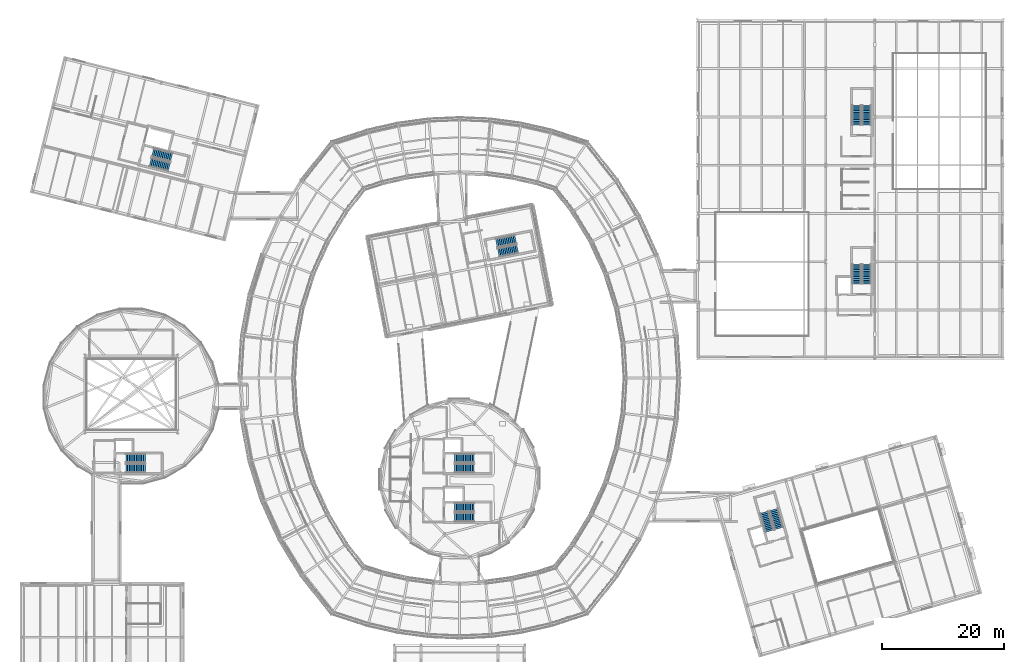
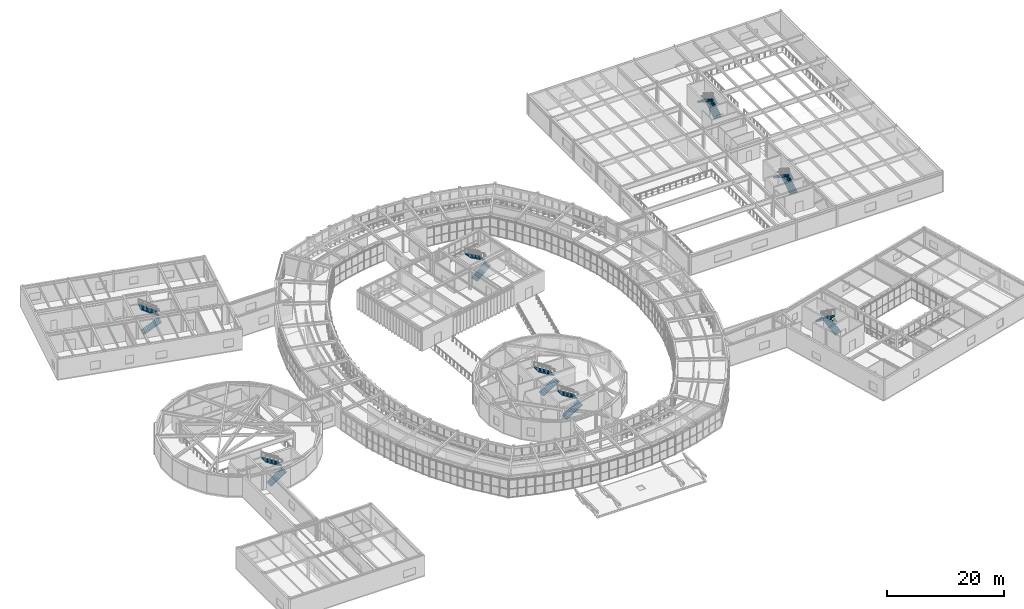
# One storey, part 84 of 103: 16 stair flights, 8 elements without a shape of their own.
"""IFC4 building model written with IfcOpenShell, lengths in metres."""

import ifcopenshell
import ifcopenshell.guid

model = None  # the IFC model being written
_history = None  # IfcOwnerHistory: only IFC2X3 demands one
_inside = {}  # id of a spatial element -> (the spatial element, [elements in it])
_under = {}  # id of a project, library or spatial element -> (it, [spatial elements below it])
_declared = {}  # id of a project -> (the project, [libraries it declares])
_typed = {}  # id of a type object -> (the type object, [elements of that type])
_made_of = {}  # id of a material, layer set ... -> (it, [elements and type objects made of it])


def new_model(schema):
    """Start an empty IFC model of exactly this schema.

    Asked for "IFC4X3", IfcOpenShell would pick the latest addendum, in which some entities
    have other attributes; the version numbers below select the first issue.
    IFC2X3 requires an IfcOwnerHistory on every rooted entity: one is made here for all.
    """
    global model, _history
    if schema == "IFC4X3":
        model = ifcopenshell.file(schema_version=(4, 3, 0, 0))
    else:
        model = ifcopenshell.file(schema=schema)
    _inside.clear()
    _under.clear()
    _declared.clear()
    _typed.clear()
    _made_of.clear()
    _history = None
    if model.schema == "IFC2X3":
        org = make("IfcOrganization", Name="unknown")
        user = make(
            "IfcPersonAndOrganization",
            ThePerson=make("IfcPerson", FamilyName="unknown"),
            TheOrganization=org,
        )
        app = make(
            "IfcApplication",
            ApplicationDeveloper=org,
            Version="unknown",
            ApplicationFullName="unknown",
            ApplicationIdentifier="unknown",
        )
        _history = make(
            "IfcOwnerHistory",
            OwningUser=user,
            OwningApplication=app,
            ChangeAction="ADDED",
            CreationDate=0,
        )
    return model


def make(cls, **values):
    """One entity of the class cls with the attributes given. An attribute that is None is left unset."""
    return model.create_entity(
        cls, **{name: value for name, value in values.items() if value is not None}
    )


def rooted(cls, **values):
    """An entity with a GlobalId (a new one), such as an element, a storey or a relation."""
    return make(cls, GlobalId=ifcopenshell.guid.new(), OwnerHistory=_history, **values)


def si_unit(unit_type, name, prefix=None):
    """IfcSIUnit, for example si_unit("LENGTHUNIT", "METRE", prefix="MILLI")."""
    return make("IfcSIUnit", UnitType=unit_type, Prefix=prefix, Name=name)


def assignment(units):
    """IfcUnitAssignment: the units of a project."""
    return None if units is None else make("IfcUnitAssignment", Units=units)


def point(xyz):
    """IfcCartesianPoint."""
    return None if xyz is None else make("IfcCartesianPoint", Coordinates=xyz)


def direction(xyz):
    """IfcDirection."""
    return None if xyz is None else make("IfcDirection", DirectionRatios=xyz)


def frame(location, z_axis=None, x_axis=None):
    """IfcAxis2Placement3D, a coordinate frame: its origin and axes. An axis left out is left unset."""
    return make(
        "IfcAxis2Placement3D",
        Location=point(location),
        Axis=direction(z_axis),
        RefDirection=direction(x_axis),
    )


def origin():
    """The frame at (0, 0, 0) with its axes left unset."""
    return frame((0.0, 0.0, 0.0))


def place(relative_to, where):
    """IfcLocalPlacement: puts the frame where relative to a parent placement (None: the world)."""
    return make(
        "IfcLocalPlacement", PlacementRelTo=relative_to, RelativePlacement=where
    )


def context(
    kind, dimensions, precision=None, world=None, true_north=None, identifier=None
):
    """IfcGeometricRepresentationContext, for example the 3D "Model" context."""
    return make(
        "IfcGeometricRepresentationContext",
        ContextIdentifier=identifier,
        ContextType=kind,
        CoordinateSpaceDimension=dimensions,
        Precision=precision,
        WorldCoordinateSystem=world,
        TrueNorth=true_north,
    )


def subcontext(parent, identifier, kind, view, scale=None):
    """IfcGeometricRepresentationSubContext, for example "Body" below "Model"."""
    return make(
        "IfcGeometricRepresentationSubContext",
        ContextIdentifier=identifier,
        ContextType=kind,
        ParentContext=parent,
        TargetScale=scale,
        TargetView=view,
    )


def project(units=None, contexts=None):
    """IfcProject with its units and contexts."""
    return rooted(
        "IfcProject",
        Name="project",
        RepresentationContexts=contexts,
        UnitsInContext=assignment(units),
    )


def spatial(cls, under=None, at=None, **own):
    """A site, building, storey or space (cls), placed at a placement, below another one or the project."""
    s = rooted(cls, ObjectPlacement=at, **own)
    if under is not None:
        _under.setdefault(under.id(), (under, []))[1].append(s)
    return s


def polyline(points):
    """IfcPolyline through the points."""
    return make("IfcPolyline", Points=[point(p) for p in points])


def outline(outer, holes=None, kind="AREA"):
    """IfcArbitraryClosedProfileDef: a profile drawn as a closed curve; with holes, ...WithVoids."""
    if holes is None:
        return make("IfcArbitraryClosedProfileDef", ProfileType=kind, OuterCurve=outer)
    return make(
        "IfcArbitraryProfileDefWithVoids",
        ProfileType=kind,
        OuterCurve=outer,
        InnerCurves=holes,
    )


def extrude(swept, where, along, depth):
    """IfcExtrudedAreaSolid: the profile swept, set in the frame where, extruded along a direction by depth."""
    return make(
        "IfcExtrudedAreaSolid",
        SweptArea=swept,
        Position=where,
        ExtrudedDirection=direction(along),
        Depth=depth,
    )


def shape(context_of_items, identifier, shape_type, items):
    """IfcShapeRepresentation: the items that make up one representation, for example the "Body"."""
    return make(
        "IfcShapeRepresentation",
        ContextOfItems=context_of_items,
        RepresentationIdentifier=identifier,
        RepresentationType=shape_type,
        Items=items,
    )


def material(Name=None, Category=None):
    """IfcMaterial."""
    return make("IfcMaterial", Name=Name, Category=Category)


def made_of(thing, what):
    """Note that an element or type object is made of a material, layer set ...; save() writes the relation."""
    if what is not None:
        _made_of.setdefault(what.id(), (what, []))[1].append(thing)
    return thing


def type_object(cls, material=None, **own):
    """A type object (cls), such as IfcWallType, which elements share."""
    return made_of(rooted(cls, **own), material)


def element(
    cls,
    number,
    at=None,
    inside=None,
    cuts=None,
    type_object=None,
    material=None,
    context=None,
    identifier="Body",
    shape_type=None,
    held_by="IfcProductDefinitionShape",
    body=None,
    shapes=None,
    **own,
):
    """One element of the class cls, such as IfcWall. Its Tag is "e" and its number.

    at: its placement. inside: the storey or other place that contains it. cuts: it is an
    opening in that element (IfcRelVoidsElement). A single representation is given by context,
    identifier, shape_type and body (its items); several are given by shapes. held_by: the class
    of the entity that holds the representations. save() writes the other relations.
    """
    e = rooted(cls, Tag="e%d" % number, ObjectPlacement=at, **own)
    if body is not None:
        shapes = [shape(context, identifier, shape_type, body)]
    if shapes is not None:
        e.Representation = make(held_by, Representations=shapes)
    if inside is not None:
        _inside.setdefault(inside.id(), (inside, []))[1].append(e)
    if cuts is not None:
        rooted(
            "IfcRelVoidsElement", RelatingBuildingElement=cuts, RelatedOpeningElement=e
        )
    if type_object is not None:
        _typed.setdefault(type_object.id(), (type_object, []))[1].append(e)
    return made_of(e, material)


def aggregate(whole, parts):
    """IfcRelAggregates: a whole, such as a stair, and the parts it consists of."""
    return rooted("IfcRelAggregates", RelatingObject=whole, RelatedObjects=parts)


def save(model, path):
    """Write the relations noted so far, then the file.

    IfcRelAggregates (storeys below a building ...), IfcRelContainedInSpatialStructure (elements
    in a storey), IfcRelDefinesByType, IfcRelAssociatesMaterial and IfcRelDeclares: one each for
    every whole, place, type object, material and project.
    """
    for whole, parts in _under.values():
        aggregate(whole, parts)
    for where, things in _inside.values():
        rooted(
            "IfcRelContainedInSpatialStructure",
            RelatedElements=things,
            RelatingStructure=where,
        )
    for kind, things in _typed.values():
        rooted("IfcRelDefinesByType", RelatedObjects=things, RelatingType=kind)
    for what, things in _made_of.values():
        rooted("IfcRelAssociatesMaterial", RelatedObjects=things, RelatingMaterial=what)
    for by, libraries in _declared.values():
        rooted("IfcRelDeclares", RelatingContext=by, RelatedDefinitions=libraries)
    model.write(path)


model = new_model("IFC4")

# Units and contexts
model_context = context("Model", 3, precision=1e-05, world=origin(), true_north=direction((0.0, 1.0)))
body_context = subcontext(model_context, "Body", "Model", "MODEL_VIEW")
ifc_project = project(units=[si_unit("LENGTHUNIT", "METRE"), si_unit("AREAUNIT", "SQUARE_METRE"), si_unit("VOLUMEUNIT", "CUBIC_METRE"), si_unit("PLANEANGLEUNIT", "RADIAN"), si_unit("MASSUNIT", "GRAM", prefix="KILO")], contexts=[model_context])

# Site, building, storey
site_placement = place(None, origin())
site = spatial("IfcSite", under=ifc_project, at=site_placement, CompositionType="ELEMENT")
building_placement = place(site_placement, origin())
building = spatial("IfcBuilding", under=site, at=building_placement, Name="Varnklinge Art Gallery", CompositionType="ELEMENT")
storey_placement = place(building_placement, frame((0.0, 0.0, 5.10009765625)))
storey = spatial("IfcBuildingStorey", under=building, at=storey_placement, Name="L01", CompositionType="ELEMENT", Elevation=5.10009765625)

# Stair, stair flights
ifc_material_1 = material(Name="Concrete C40/50", Category="concrete")
stair_type = type_object("IfcStairType", Name="STR-C4420", PredefinedType="HALF_TURN_STAIR", material=ifc_material_1)
stair_1_placement = place(storey_placement, origin())
stair_1 = element("IfcStair", 1, at=stair_1_placement, inside=storey, type_object=stair_type, Name="L01 Core C1 Stair ST-01", PredefinedType="HALF_TURN_STAIR")
ifc_material_2 = material(Name="Concrete C40/50", Category="concrete")
stair_flight_type = type_object("IfcStairFlightType", Name="FLT-C4420", PredefinedType="STRAIGHT", material=ifc_material_2)
stair_flight_1_placement = place(storey_placement, frame((74.699951171875, 32.22509765625, 0.0), z_axis=(0.0, 0.0, 1.0), x_axis=(1.0, 0.0, 0.0)))
stair_flight_1 = element("IfcStairFlight", 2, at=stair_flight_1_placement, type_object=stair_flight_type, Name="ST-01 flight 1", NumberOfRisers=12, NumberOfTreads=11, PredefinedType="STRAIGHT", RiserHeight=0.184166667, TreadLength=0.29, context=body_context, shape_type="SweptSolid", body=[
    extrude(outline(polyline([(0.0, 0.0), (0.0, 0.18408203125), (0.2900390625, 0.18408203125), (0.2900390625, 0.368408203125), (0.580078125, 0.368408203125), (0.580078125, 0.552490234375), (0.8701171875, 0.552490234375), (0.8701171875, 0.736572265625), (1.159912109375, 0.736572265625), (1.159912109375, 0.9208984375), (1.449951171875, 0.9208984375), (1.449951171875, 1.10498046875), (1.739990234375, 1.10498046875), (1.739990234375, 1.2890625), (2.030029296875, 1.2890625), (2.030029296875, 1.473388671875), (2.320068359375, 1.473388671875), (2.320068359375, 1.657470703125), (2.610107421875, 1.657470703125), (2.610107421875, 1.841552734375), (2.89990234375, 1.841552734375), (2.89990234375, 2.02587890625), (3.18994140625, 2.02587890625), (3.18994140625, 2.2099609375), (3.18994140625, 1.83642578125), (0.29833984375, 0.0), (0.0, 0.0)])), frame((0.0, 0.72509765625, 0.0), z_axis=(0.0, -1.0, 0.0), x_axis=(1.0, 0.0, 0.0)), (0.0, 0.0, 1.0), 1.449951171875),
])
stair_flight_2_placement = place(storey_placement, frame((77.889892578125, 33.8349609375, 2.2099609375), z_axis=(0.0, 0.0, 1.0), x_axis=(-1.0, 0.0, 0.0)))
stair_flight_2 = element("IfcStairFlight", 3, at=stair_flight_2_placement, type_object=stair_flight_type, Name="ST-01 flight 2", NumberOfRisers=12, NumberOfTreads=11, PredefinedType="STRAIGHT", RiserHeight=0.184166667, TreadLength=0.29, context=body_context, shape_type="SweptSolid", body=[
    extrude(outline(polyline([(0.0, 0.0), (0.0, 0.18408203125), (0.2900390625, 0.18408203125), (0.2900390625, 0.368408203125), (0.580078125, 0.368408203125), (0.580078125, 0.552490234375), (0.8701171875, 0.552490234375), (0.8701171875, 0.736572265625), (1.159912109375, 0.736572265625), (1.159912109375, 0.9208984375), (1.449951171875, 0.9208984375), (1.449951171875, 1.10498046875), (1.739990234375, 1.10498046875), (1.739990234375, 1.2890625), (2.030029296875, 1.2890625), (2.030029296875, 1.473388671875), (2.320068359375, 1.473388671875), (2.320068359375, 1.657470703125), (2.610107421875, 1.657470703125), (2.610107421875, 1.841552734375), (2.89990234375, 1.841552734375), (2.89990234375, 2.02587890625), (3.18994140625, 2.02587890625), (3.18994140625, 2.2099609375), (3.18994140625, 1.83642578125), (0.29833984375, 0.0), (0.0, 0.0)])), frame((0.0, 0.72509765625, 0.0), z_axis=(0.0, -1.0, 0.0), x_axis=(1.0, 0.0, 0.0)), (0.0, 0.0, 1.0), 1.449951171875),
])
aggregate(stair_1, [stair_flight_1, stair_flight_2])

stair_2_placement = place(storey_placement, origin())
stair_2 = element("IfcStair", 4, at=stair_2_placement, inside=storey, type_object=stair_type, Name="L01 Core C2 Stair ST-02", PredefinedType="HALF_TURN_STAIR")
stair_flight_3_placement = place(storey_placement, frame((74.699951171875, 40.22509765625, 0.0), z_axis=(0.0, 0.0, 1.0), x_axis=(1.0, 0.0, 0.0)))
stair_flight_3 = element("IfcStairFlight", 5, at=stair_flight_3_placement, type_object=stair_flight_type, Name="ST-02 flight 1", NumberOfRisers=12, NumberOfTreads=11, PredefinedType="STRAIGHT", RiserHeight=0.184166667, TreadLength=0.29, context=body_context, shape_type="SweptSolid", body=[
    extrude(outline(polyline([(0.0, 0.0), (0.0, 0.18408203125), (0.2900390625, 0.18408203125), (0.2900390625, 0.368408203125), (0.580078125, 0.368408203125), (0.580078125, 0.552490234375), (0.8701171875, 0.552490234375), (0.8701171875, 0.736572265625), (1.159912109375, 0.736572265625), (1.159912109375, 0.9208984375), (1.449951171875, 0.9208984375), (1.449951171875, 1.10498046875), (1.739990234375, 1.10498046875), (1.739990234375, 1.2890625), (2.030029296875, 1.2890625), (2.030029296875, 1.473388671875), (2.320068359375, 1.473388671875), (2.320068359375, 1.657470703125), (2.610107421875, 1.657470703125), (2.610107421875, 1.841552734375), (2.89990234375, 1.841552734375), (2.89990234375, 2.02587890625), (3.18994140625, 2.02587890625), (3.18994140625, 2.2099609375), (3.18994140625, 1.83642578125), (0.29833984375, 0.0), (0.0, 0.0)])), frame((0.0, 0.72509765625, 0.0), z_axis=(0.0, -1.0, 0.0), x_axis=(1.0, 0.0, 0.0)), (0.0, 0.0, 1.0), 1.449951171875),
])
stair_flight_4_placement = place(storey_placement, frame((77.889892578125, 41.8349609375, 2.2099609375), z_axis=(0.0, 0.0, 1.0), x_axis=(-1.0, 0.0, 0.0)))
stair_flight_4 = element("IfcStairFlight", 6, at=stair_flight_4_placement, type_object=stair_flight_type, Name="ST-02 flight 2", NumberOfRisers=12, NumberOfTreads=11, PredefinedType="STRAIGHT", RiserHeight=0.184166667, TreadLength=0.29, context=body_context, shape_type="SweptSolid", body=[
    extrude(outline(polyline([(0.0, 0.0), (0.0, 0.18408203125), (0.2900390625, 0.18408203125), (0.2900390625, 0.368408203125), (0.580078125, 0.368408203125), (0.580078125, 0.552490234375), (0.8701171875, 0.552490234375), (0.8701171875, 0.736572265625), (1.159912109375, 0.736572265625), (1.159912109375, 0.9208984375), (1.449951171875, 0.9208984375), (1.449951171875, 1.10498046875), (1.739990234375, 1.10498046875), (1.739990234375, 1.2890625), (2.030029296875, 1.2890625), (2.030029296875, 1.473388671875), (2.320068359375, 1.473388671875), (2.320068359375, 1.657470703125), (2.610107421875, 1.657470703125), (2.610107421875, 1.841552734375), (2.89990234375, 1.841552734375), (2.89990234375, 2.02587890625), (3.18994140625, 2.02587890625), (3.18994140625, 2.2099609375), (3.18994140625, 1.83642578125), (0.29833984375, 0.0), (0.0, 0.0)])), frame((0.0, 0.72509765625, 0.0), z_axis=(0.0, -1.0, 0.0), x_axis=(1.0, 0.0, 0.0)), (0.0, 0.0, 1.0), 1.449951171875),
])
aggregate(stair_2, [stair_flight_3, stair_flight_4])

stair_3_placement = place(storey_placement, origin())
stair_3 = element("IfcStair", 7, at=stair_3_placement, inside=storey, type_object=stair_type, Name="L01 Core C3 Stair ST-03", PredefinedType="HALF_TURN_STAIR")
stair_flight_5_placement = place(storey_placement, frame((142.074951171875, 70.39990234375, 0.0), z_axis=(0.0, 0.0, 1.0), x_axis=(0.0, 1.0, 0.0)))
stair_flight_5 = element("IfcStairFlight", 8, at=stair_flight_5_placement, type_object=stair_flight_type, Name="ST-03 flight 1", NumberOfRisers=12, NumberOfTreads=11, PredefinedType="STRAIGHT", RiserHeight=0.184166667, TreadLength=0.29, context=body_context, shape_type="SweptSolid", body=[
    extrude(outline(polyline([(0.0, 0.0), (0.0, 0.18408203125), (0.2900390625, 0.18408203125), (0.2900390625, 0.368408203125), (0.580078125, 0.368408203125), (0.580078125, 0.552490234375), (0.8701171875, 0.552490234375), (0.8701171875, 0.736572265625), (1.159912109375, 0.736572265625), (1.159912109375, 0.9208984375), (1.449951171875, 0.9208984375), (1.449951171875, 1.10498046875), (1.739990234375, 1.10498046875), (1.739990234375, 1.2890625), (2.030029296875, 1.2890625), (2.030029296875, 1.473388671875), (2.320068359375, 1.473388671875), (2.320068359375, 1.657470703125), (2.610107421875, 1.657470703125), (2.610107421875, 1.841552734375), (2.89990234375, 1.841552734375), (2.89990234375, 2.02587890625), (3.18994140625, 2.02587890625), (3.18994140625, 2.2099609375), (3.18994140625, 1.83642578125), (0.29833984375, 0.0), (0.0, 0.0)])), frame((0.0, 0.72509765625, 0.0), z_axis=(0.0, -1.0, 0.0), x_axis=(1.0, 0.0, 0.0)), (0.0, 0.0, 1.0), 1.449951171875),
])
stair_flight_6_placement = place(storey_placement, frame((140.465087890625, 73.590087890625, 2.2099609375), z_axis=(0.0, 0.0, 1.0), x_axis=(0.0, -1.0, 0.0)))
stair_flight_6 = element("IfcStairFlight", 9, at=stair_flight_6_placement, type_object=stair_flight_type, Name="ST-03 flight 2", NumberOfRisers=12, NumberOfTreads=11, PredefinedType="STRAIGHT", RiserHeight=0.184166667, TreadLength=0.29, context=body_context, shape_type="SweptSolid", body=[
    extrude(outline(polyline([(0.0, 0.0), (0.0, 0.18408203125), (0.2900390625, 0.18408203125), (0.2900390625, 0.368408203125), (0.580078125, 0.368408203125), (0.580078125, 0.552490234375), (0.8701171875, 0.552490234375), (0.8701171875, 0.736572265625), (1.159912109375, 0.736572265625), (1.159912109375, 0.9208984375), (1.449951171875, 0.9208984375), (1.449951171875, 1.10498046875), (1.739990234375, 1.10498046875), (1.739990234375, 1.2890625), (2.030029296875, 1.2890625), (2.030029296875, 1.473388671875), (2.320068359375, 1.473388671875), (2.320068359375, 1.657470703125), (2.610107421875, 1.657470703125), (2.610107421875, 1.841552734375), (2.89990234375, 1.841552734375), (2.89990234375, 2.02587890625), (3.18994140625, 2.02587890625), (3.18994140625, 2.2099609375), (3.18994140625, 1.83642578125), (0.29833984375, 0.0), (0.0, 0.0)])), frame((0.0, 0.72509765625, 0.0), z_axis=(0.0, -1.0, 0.0), x_axis=(1.0, 0.0, 0.0)), (0.0, 0.0, 1.0), 1.449951171875),
])
aggregate(stair_3, [stair_flight_5, stair_flight_6])

stair_4_placement = place(storey_placement, origin())
stair_4 = element("IfcStair", 10, at=stair_4_placement, inside=storey, type_object=stair_type, Name="L01 Core C4 Stair ST-04", PredefinedType="HALF_TURN_STAIR")
stair_flight_7_placement = place(storey_placement, frame((24.911865234375, 90.300537109375, 0.0), z_axis=(0.0, 0.0, 1.0), x_axis=(0.970295726276, -0.2419218956, 0.0)))
stair_flight_7 = element("IfcStairFlight", 11, at=stair_flight_7_placement, type_object=stair_flight_type, Name="ST-04 flight 1", NumberOfRisers=12, NumberOfTreads=11, PredefinedType="STRAIGHT", RiserHeight=0.184166667, TreadLength=0.29, context=body_context, shape_type="SweptSolid", body=[
    extrude(outline(polyline([(0.0, 0.0), (0.0, 0.18408203125), (0.2900390625, 0.18408203125), (0.2900390625, 0.368408203125), (0.580078125, 0.368408203125), (0.580078125, 0.552490234375), (0.8701171875, 0.552490234375), (0.8701171875, 0.736572265625), (1.159912109375, 0.736572265625), (1.159912109375, 0.9208984375), (1.449951171875, 0.9208984375), (1.449951171875, 1.10498046875), (1.739990234375, 1.10498046875), (1.739990234375, 1.2890625), (2.030029296875, 1.2890625), (2.030029296875, 1.473388671875), (2.320068359375, 1.473388671875), (2.320068359375, 1.657470703125), (2.610107421875, 1.657470703125), (2.610107421875, 1.841552734375), (2.89990234375, 1.841552734375), (2.89990234375, 2.02587890625), (3.18994140625, 2.02587890625), (3.18994140625, 2.2099609375), (3.18994140625, 1.83642578125), (0.29833984375, 0.0), (0.0, 0.0)])), frame((0.0, 0.72509765625, 0.0), z_axis=(0.0, -1.0, 0.0), x_axis=(1.0, 0.0, 0.0)), (0.0, 0.0, 1.0), 1.449951171875),
])
stair_flight_8_placement = place(storey_placement, frame((28.396728515625, 91.091064453125, 2.2099609375), z_axis=(0.0, 0.0, 1.0), x_axis=(-0.970295726276, 0.2419218956, 0.0)))
stair_flight_8 = element("IfcStairFlight", 12, at=stair_flight_8_placement, type_object=stair_flight_type, Name="ST-04 flight 2", NumberOfRisers=12, NumberOfTreads=11, PredefinedType="STRAIGHT", RiserHeight=0.184166667, TreadLength=0.29, context=body_context, shape_type="SweptSolid", body=[
    extrude(outline(polyline([(0.0, 0.0), (0.0, 0.18408203125), (0.2900390625, 0.18408203125), (0.2900390625, 0.368408203125), (0.580078125, 0.368408203125), (0.580078125, 0.552490234375), (0.8701171875, 0.552490234375), (0.8701171875, 0.736572265625), (1.159912109375, 0.736572265625), (1.159912109375, 0.9208984375), (1.449951171875, 0.9208984375), (1.449951171875, 1.10498046875), (1.739990234375, 1.10498046875), (1.739990234375, 1.2890625), (2.030029296875, 1.2890625), (2.030029296875, 1.473388671875), (2.320068359375, 1.473388671875), (2.320068359375, 1.657470703125), (2.610107421875, 1.657470703125), (2.610107421875, 1.841552734375), (2.89990234375, 1.841552734375), (2.89990234375, 2.02587890625), (3.18994140625, 2.02587890625), (3.18994140625, 2.2099609375), (3.18994140625, 1.83642578125), (0.29833984375, 0.0), (0.0, 0.0)])), frame((0.0, 0.72509765625, 0.0), z_axis=(0.0, -1.0, 0.0), x_axis=(1.0, 0.0, 0.0)), (0.0, 0.0, 1.0), 1.449951171875),
])
aggregate(stair_4, [stair_flight_7, stair_flight_8])

stair_5_placement = place(storey_placement, origin())
stair_5 = element("IfcStair", 13, at=stair_5_placement, inside=storey, type_object=stair_type, Name="L01 Core C5 Stair ST-05", PredefinedType="HALF_TURN_STAIR")
stair_flight_9_placement = place(storey_placement, frame((127.765625, 30.408447265625, 0.0), z_axis=(0.0, 0.0, 1.0), x_axis=(-0.275637355817, 0.961261695938, 0.0)))
stair_flight_9 = element("IfcStairFlight", 14, at=stair_flight_9_placement, type_object=stair_flight_type, Name="ST-05 flight 1", NumberOfRisers=12, NumberOfTreads=11, PredefinedType="STRAIGHT", RiserHeight=0.184166667, TreadLength=0.29, context=body_context, shape_type="SweptSolid", body=[
    extrude(outline(polyline([(0.0, 0.0), (0.0, 0.18408203125), (0.2900390625, 0.18408203125), (0.2900390625, 0.368408203125), (0.580078125, 0.368408203125), (0.580078125, 0.552490234375), (0.8701171875, 0.552490234375), (0.8701171875, 0.736572265625), (1.159912109375, 0.736572265625), (1.159912109375, 0.9208984375), (1.449951171875, 0.9208984375), (1.449951171875, 1.10498046875), (1.739990234375, 1.10498046875), (1.739990234375, 1.2890625), (2.030029296875, 1.2890625), (2.030029296875, 1.473388671875), (2.320068359375, 1.473388671875), (2.320068359375, 1.657470703125), (2.610107421875, 1.657470703125), (2.610107421875, 1.841552734375), (2.89990234375, 1.841552734375), (2.89990234375, 2.02587890625), (3.18994140625, 2.02587890625), (3.18994140625, 2.2099609375), (3.18994140625, 1.83642578125), (0.29833984375, 0.0), (0.0, 0.0)])), frame((0.0, 0.72509765625, 0.0), z_axis=(0.0, -1.0, 0.0), x_axis=(1.0, 0.0, 0.0)), (0.0, 0.0, 1.0), 1.449951171875),
])
stair_flight_10_placement = place(storey_placement, frame((125.3388671875, 33.031005859375, 2.2099609375), z_axis=(0.0, 0.0, 1.0), x_axis=(0.275637355817, -0.961261695938, 0.0)))
stair_flight_10 = element("IfcStairFlight", 15, at=stair_flight_10_placement, type_object=stair_flight_type, Name="ST-05 flight 2", NumberOfRisers=12, NumberOfTreads=11, PredefinedType="STRAIGHT", RiserHeight=0.184166667, TreadLength=0.29, context=body_context, shape_type="SweptSolid", body=[
    extrude(outline(polyline([(0.0, 0.0), (0.0, 0.18408203125), (0.2900390625, 0.18408203125), (0.2900390625, 0.368408203125), (0.580078125, 0.368408203125), (0.580078125, 0.552490234375), (0.8701171875, 0.552490234375), (0.8701171875, 0.736572265625), (1.159912109375, 0.736572265625), (1.159912109375, 0.9208984375), (1.449951171875, 0.9208984375), (1.449951171875, 1.10498046875), (1.739990234375, 1.10498046875), (1.739990234375, 1.2890625), (2.030029296875, 1.2890625), (2.030029296875, 1.473388671875), (2.320068359375, 1.473388671875), (2.320068359375, 1.657470703125), (2.610107421875, 1.657470703125), (2.610107421875, 1.841552734375), (2.89990234375, 1.841552734375), (2.89990234375, 2.02587890625), (3.18994140625, 2.02587890625), (3.18994140625, 2.2099609375), (3.18994140625, 1.83642578125), (0.29833984375, 0.0), (0.0, 0.0)])), frame((0.0, 0.72509765625, 0.0), z_axis=(0.0, -1.0, 0.0), x_axis=(1.0, 0.0, 0.0)), (0.0, 0.0, 1.0), 1.449951171875),
])
aggregate(stair_5, [stair_flight_9, stair_flight_10])

stair_6_placement = place(storey_placement, origin())
stair_6 = element("IfcStair", 16, at=stair_6_placement, inside=storey, type_object=stair_type, Name="L01 Core C6 Stair ST-06", PredefinedType="HALF_TURN_STAIR")
stair_flight_11_placement = place(storey_placement, frame((20.89990234375, 40.22509765625, 0.0), z_axis=(0.0, 0.0, 1.0), x_axis=(1.0, 0.0, 0.0)))
stair_flight_11 = element("IfcStairFlight", 17, at=stair_flight_11_placement, type_object=stair_flight_type, Name="ST-06 flight 1", NumberOfRisers=12, NumberOfTreads=11, PredefinedType="STRAIGHT", RiserHeight=0.184166667, TreadLength=0.29, context=body_context, shape_type="SweptSolid", body=[
    extrude(outline(polyline([(0.0, 0.0), (0.0, 0.18408203125), (0.2900390625, 0.18408203125), (0.2900390625, 0.368408203125), (0.580078125, 0.368408203125), (0.580078125, 0.552490234375), (0.8701171875, 0.552490234375), (0.8701171875, 0.736572265625), (1.159912109375, 0.736572265625), (1.159912109375, 0.9208984375), (1.449951171875, 0.9208984375), (1.449951171875, 1.10498046875), (1.739990234375, 1.10498046875), (1.739990234375, 1.2890625), (2.030029296875, 1.2890625), (2.030029296875, 1.473388671875), (2.320068359375, 1.473388671875), (2.320068359375, 1.657470703125), (2.610107421875, 1.657470703125), (2.610107421875, 1.841552734375), (2.89990234375, 1.841552734375), (2.89990234375, 2.02587890625), (3.18994140625, 2.02587890625), (3.18994140625, 2.2099609375), (3.18994140625, 1.83642578125), (0.29833984375, 0.0), (0.0, 0.0)])), frame((0.0, 0.72509765625, 0.0), z_axis=(0.0, -1.0, 0.0), x_axis=(1.0, 0.0, 0.0)), (0.0, 0.0, 1.0), 1.449951171875),
])
stair_flight_12_placement = place(storey_placement, frame((24.090087890625, 41.8349609375, 2.2099609375), z_axis=(0.0, 0.0, 1.0), x_axis=(-1.0, 0.0, 0.0)))
stair_flight_12 = element("IfcStairFlight", 18, at=stair_flight_12_placement, type_object=stair_flight_type, Name="ST-06 flight 2", NumberOfRisers=12, NumberOfTreads=11, PredefinedType="STRAIGHT", RiserHeight=0.184166667, TreadLength=0.29, context=body_context, shape_type="SweptSolid", body=[
    extrude(outline(polyline([(0.0, 0.0), (0.0, 0.18408203125), (0.2900390625, 0.18408203125), (0.2900390625, 0.368408203125), (0.580078125, 0.368408203125), (0.580078125, 0.552490234375), (0.8701171875, 0.552490234375), (0.8701171875, 0.736572265625), (1.159912109375, 0.736572265625), (1.159912109375, 0.9208984375), (1.449951171875, 0.9208984375), (1.449951171875, 1.10498046875), (1.739990234375, 1.10498046875), (1.739990234375, 1.2890625), (2.030029296875, 1.2890625), (2.030029296875, 1.473388671875), (2.320068359375, 1.473388671875), (2.320068359375, 1.657470703125), (2.610107421875, 1.657470703125), (2.610107421875, 1.841552734375), (2.89990234375, 1.841552734375), (2.89990234375, 2.02587890625), (3.18994140625, 2.02587890625), (3.18994140625, 2.2099609375), (3.18994140625, 1.83642578125), (0.29833984375, 0.0), (0.0, 0.0)])), frame((0.0, 0.72509765625, 0.0), z_axis=(0.0, -1.0, 0.0), x_axis=(1.0, 0.0, 0.0)), (0.0, 0.0, 1.0), 1.449951171875),
])
aggregate(stair_6, [stair_flight_11, stair_flight_12])

stair_7_placement = place(storey_placement, origin())
stair_7 = element("IfcStair", 19, at=stair_7_placement, inside=storey, type_object=stair_type, Name="L01 Core C7 Stair ST-07", PredefinedType="HALF_TURN_STAIR")
stair_flight_13_placement = place(storey_placement, frame((142.074951171875, 96.39990234375, 0.0), z_axis=(0.0, 0.0, 1.0), x_axis=(0.0, 1.0, 0.0)))
stair_flight_13 = element("IfcStairFlight", 20, at=stair_flight_13_placement, type_object=stair_flight_type, Name="ST-07 flight 1", NumberOfRisers=12, NumberOfTreads=11, PredefinedType="STRAIGHT", RiserHeight=0.184166667, TreadLength=0.29, context=body_context, shape_type="SweptSolid", body=[
    extrude(outline(polyline([(0.0, 0.0), (0.0, 0.18408203125), (0.2900390625, 0.18408203125), (0.2900390625, 0.368408203125), (0.580078125, 0.368408203125), (0.580078125, 0.552490234375), (0.8701171875, 0.552490234375), (0.8701171875, 0.736572265625), (1.159912109375, 0.736572265625), (1.159912109375, 0.9208984375), (1.449951171875, 0.9208984375), (1.449951171875, 1.10498046875), (1.739990234375, 1.10498046875), (1.739990234375, 1.2890625), (2.030029296875, 1.2890625), (2.030029296875, 1.473388671875), (2.320068359375, 1.473388671875), (2.320068359375, 1.657470703125), (2.610107421875, 1.657470703125), (2.610107421875, 1.841552734375), (2.89990234375, 1.841552734375), (2.89990234375, 2.02587890625), (3.18994140625, 2.02587890625), (3.18994140625, 2.2099609375), (3.18994140625, 1.83642578125), (0.29833984375, 0.0), (0.0, 0.0)])), frame((0.0, 0.72509765625, 0.0), z_axis=(0.0, -1.0, 0.0), x_axis=(1.0, 0.0, 0.0)), (0.0, 0.0, 1.0), 1.449951171875),
])
stair_flight_14_placement = place(storey_placement, frame((140.465087890625, 99.590087890625, 2.2099609375), z_axis=(0.0, 0.0, 1.0), x_axis=(0.0, -1.0, 0.0)))
stair_flight_14 = element("IfcStairFlight", 21, at=stair_flight_14_placement, type_object=stair_flight_type, Name="ST-07 flight 2", NumberOfRisers=12, NumberOfTreads=11, PredefinedType="STRAIGHT", RiserHeight=0.184166667, TreadLength=0.29, context=body_context, shape_type="SweptSolid", body=[
    extrude(outline(polyline([(0.0, 0.0), (0.0, 0.18408203125), (0.2900390625, 0.18408203125), (0.2900390625, 0.368408203125), (0.580078125, 0.368408203125), (0.580078125, 0.552490234375), (0.8701171875, 0.552490234375), (0.8701171875, 0.736572265625), (1.159912109375, 0.736572265625), (1.159912109375, 0.9208984375), (1.449951171875, 0.9208984375), (1.449951171875, 1.10498046875), (1.739990234375, 1.10498046875), (1.739990234375, 1.2890625), (2.030029296875, 1.2890625), (2.030029296875, 1.473388671875), (2.320068359375, 1.473388671875), (2.320068359375, 1.657470703125), (2.610107421875, 1.657470703125), (2.610107421875, 1.841552734375), (2.89990234375, 1.841552734375), (2.89990234375, 2.02587890625), (3.18994140625, 2.02587890625), (3.18994140625, 2.2099609375), (3.18994140625, 1.83642578125), (0.29833984375, 0.0), (0.0, 0.0)])), frame((0.0, 0.72509765625, 0.0), z_axis=(0.0, -1.0, 0.0), x_axis=(1.0, 0.0, 0.0)), (0.0, 0.0, 1.0), 1.449951171875),
])
aggregate(stair_7, [stair_flight_13, stair_flight_14])

stair_8_placement = place(storey_placement, origin())
stair_8 = element("IfcStair", 22, at=stair_8_placement, inside=storey, type_object=stair_type, Name="L01 Core C8 Stair ST-10", PredefinedType="HALF_TURN_STAIR")
stair_flight_15_placement = place(storey_placement, frame((81.845947265625, 75.49072265625, 0.0), z_axis=(0.0, 0.0, 1.0), x_axis=(0.981627183448, 0.190808995377, 0.0)))
stair_flight_15 = element("IfcStairFlight", 23, at=stair_flight_15_placement, type_object=stair_flight_type, Name="ST-10 flight 1", NumberOfRisers=12, NumberOfTreads=11, PredefinedType="STRAIGHT", RiserHeight=0.184166667, TreadLength=0.29, context=body_context, shape_type="SweptSolid", body=[
    extrude(outline(polyline([(0.0, 0.0), (0.0, 0.18408203125), (0.2900390625, 0.18408203125), (0.2900390625, 0.368408203125), (0.580078125, 0.368408203125), (0.580078125, 0.552490234375), (0.8701171875, 0.552490234375), (0.8701171875, 0.736572265625), (1.159912109375, 0.736572265625), (1.159912109375, 0.9208984375), (1.449951171875, 0.9208984375), (1.449951171875, 1.10498046875), (1.739990234375, 1.10498046875), (1.739990234375, 1.2890625), (2.030029296875, 1.2890625), (2.030029296875, 1.473388671875), (2.320068359375, 1.473388671875), (2.320068359375, 1.657470703125), (2.610107421875, 1.657470703125), (2.610107421875, 1.841552734375), (2.89990234375, 1.841552734375), (2.89990234375, 2.02587890625), (3.18994140625, 2.02587890625), (3.18994140625, 2.2099609375), (3.18994140625, 1.83642578125), (0.29833984375, 0.0), (0.0, 0.0)])), frame((0.0, 0.72509765625, 0.0), z_axis=(0.0, -1.0, 0.0), x_axis=(1.0, 0.0, 0.0)), (0.0, 0.0, 1.0), 1.449951171875),
])
stair_flight_16_placement = place(storey_placement, frame((84.670166015625, 77.679931640625, 2.2099609375), z_axis=(0.0, 0.0, 1.0), x_axis=(-0.981627183448, -0.190808995377, 0.0)))
stair_flight_16 = element("IfcStairFlight", 24, at=stair_flight_16_placement, type_object=stair_flight_type, Name="ST-10 flight 2", NumberOfRisers=12, NumberOfTreads=11, PredefinedType="STRAIGHT", RiserHeight=0.184166667, TreadLength=0.29, context=body_context, shape_type="SweptSolid", body=[
    extrude(outline(polyline([(0.0, 0.0), (0.0, 0.18408203125), (0.2900390625, 0.18408203125), (0.2900390625, 0.368408203125), (0.580078125, 0.368408203125), (0.580078125, 0.552490234375), (0.8701171875, 0.552490234375), (0.8701171875, 0.736572265625), (1.159912109375, 0.736572265625), (1.159912109375, 0.9208984375), (1.449951171875, 0.9208984375), (1.449951171875, 1.10498046875), (1.739990234375, 1.10498046875), (1.739990234375, 1.2890625), (2.030029296875, 1.2890625), (2.030029296875, 1.473388671875), (2.320068359375, 1.473388671875), (2.320068359375, 1.657470703125), (2.610107421875, 1.657470703125), (2.610107421875, 1.841552734375), (2.89990234375, 1.841552734375), (2.89990234375, 2.02587890625), (3.18994140625, 2.02587890625), (3.18994140625, 2.2099609375), (3.18994140625, 1.83642578125), (0.29833984375, 0.0), (0.0, 0.0)])), frame((0.0, 0.72509765625, 0.0), z_axis=(0.0, -1.0, 0.0), x_axis=(1.0, 0.0, 0.0)), (0.0, 0.0, 1.0), 1.449951171875),
])
aggregate(stair_8, [stair_flight_15, stair_flight_16])

save(model, "model.ifc")
